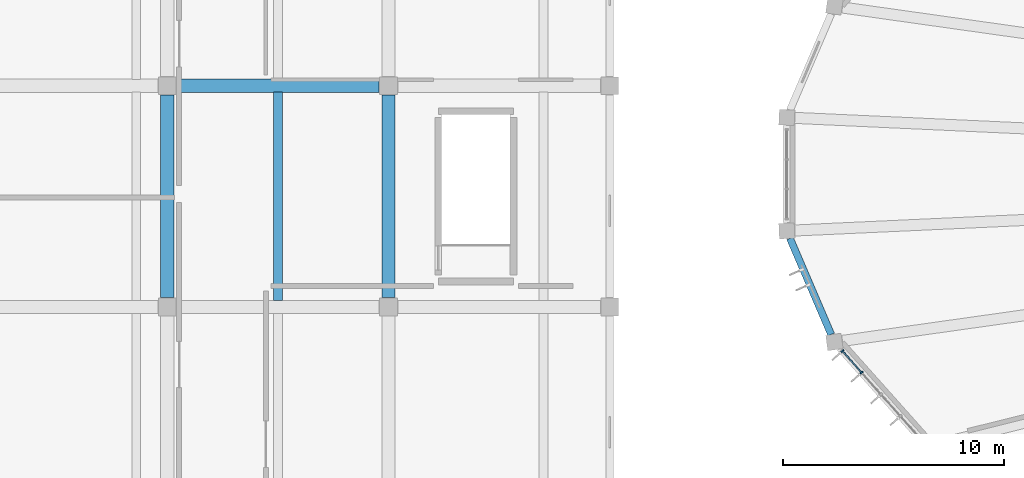
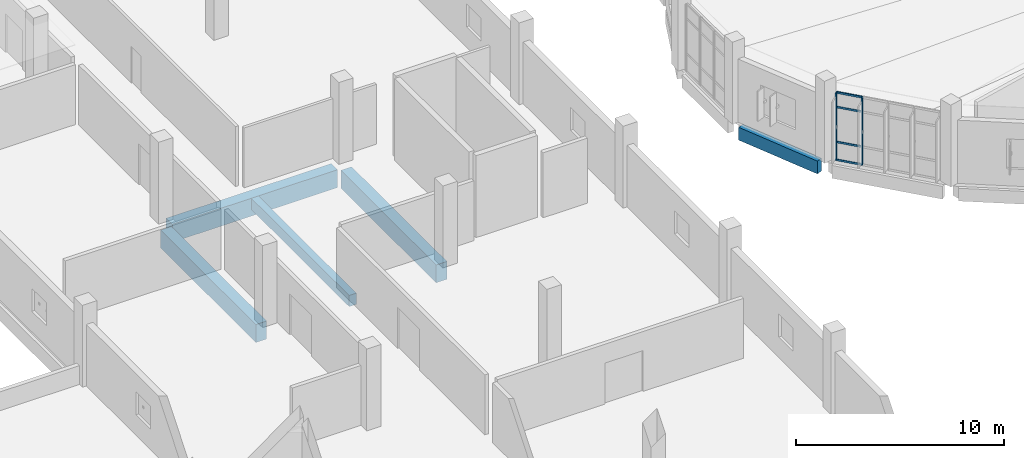
# One storey, part 23 of 179: 6 members, 5 beams, 1 element without a shape of its own.
"""IFC4 building model written with IfcOpenShell, lengths in metres."""

import ifcopenshell
import ifcopenshell.guid

model = None  # the IFC model being written
_history = None  # IfcOwnerHistory: only IFC2X3 demands one
_inside = {}  # id of a spatial element -> (the spatial element, [elements in it])
_under = {}  # id of a project, library or spatial element -> (it, [spatial elements below it])
_declared = {}  # id of a project -> (the project, [libraries it declares])
_typed = {}  # id of a type object -> (the type object, [elements of that type])
_made_of = {}  # id of a material, layer set ... -> (it, [elements and type objects made of it])


def new_model(schema):
    """Start an empty IFC model of exactly this schema.

    Asked for "IFC4X3", IfcOpenShell would pick the latest addendum, in which some entities
    have other attributes; the version numbers below select the first issue.
    IFC2X3 requires an IfcOwnerHistory on every rooted entity: one is made here for all.
    """
    global model, _history
    if schema == "IFC4X3":
        model = ifcopenshell.file(schema_version=(4, 3, 0, 0))
    else:
        model = ifcopenshell.file(schema=schema)
    _inside.clear()
    _under.clear()
    _declared.clear()
    _typed.clear()
    _made_of.clear()
    _history = None
    if model.schema == "IFC2X3":
        org = make("IfcOrganization", Name="unknown")
        user = make(
            "IfcPersonAndOrganization",
            ThePerson=make("IfcPerson", FamilyName="unknown"),
            TheOrganization=org,
        )
        app = make(
            "IfcApplication",
            ApplicationDeveloper=org,
            Version="unknown",
            ApplicationFullName="unknown",
            ApplicationIdentifier="unknown",
        )
        _history = make(
            "IfcOwnerHistory",
            OwningUser=user,
            OwningApplication=app,
            ChangeAction="ADDED",
            CreationDate=0,
        )
    return model


def make(cls, **values):
    """One entity of the class cls with the attributes given. An attribute that is None is left unset."""
    return model.create_entity(
        cls, **{name: value for name, value in values.items() if value is not None}
    )


def rooted(cls, **values):
    """An entity with a GlobalId (a new one), such as an element, a storey or a relation."""
    return make(cls, GlobalId=ifcopenshell.guid.new(), OwnerHistory=_history, **values)


def si_unit(unit_type, name, prefix=None):
    """IfcSIUnit, for example si_unit("LENGTHUNIT", "METRE", prefix="MILLI")."""
    return make("IfcSIUnit", UnitType=unit_type, Prefix=prefix, Name=name)


def assignment(units):
    """IfcUnitAssignment: the units of a project."""
    return None if units is None else make("IfcUnitAssignment", Units=units)


def point(xyz):
    """IfcCartesianPoint."""
    return None if xyz is None else make("IfcCartesianPoint", Coordinates=xyz)


def direction(xyz):
    """IfcDirection."""
    return None if xyz is None else make("IfcDirection", DirectionRatios=xyz)


def frame(location, z_axis=None, x_axis=None):
    """IfcAxis2Placement3D, a coordinate frame: its origin and axes. An axis left out is left unset."""
    return make(
        "IfcAxis2Placement3D",
        Location=point(location),
        Axis=direction(z_axis),
        RefDirection=direction(x_axis),
    )


def frame_2d(location, x_axis=None):
    """IfcAxis2Placement2D, a coordinate frame in the plane: its origin and x axis."""
    return make(
        "IfcAxis2Placement2D", Location=point(location), RefDirection=direction(x_axis)
    )


def origin():
    """The frame at (0, 0, 0) with its axes left unset."""
    return frame((0.0, 0.0, 0.0))


def origin_2d():
    """The frame at (0, 0) in the plane with its x axis left unset."""
    return frame_2d((0.0, 0.0))


def place(relative_to, where):
    """IfcLocalPlacement: puts the frame where relative to a parent placement (None: the world)."""
    return make(
        "IfcLocalPlacement", PlacementRelTo=relative_to, RelativePlacement=where
    )


def context(
    kind, dimensions, precision=None, world=None, true_north=None, identifier=None
):
    """IfcGeometricRepresentationContext, for example the 3D "Model" context."""
    return make(
        "IfcGeometricRepresentationContext",
        ContextIdentifier=identifier,
        ContextType=kind,
        CoordinateSpaceDimension=dimensions,
        Precision=precision,
        WorldCoordinateSystem=world,
        TrueNorth=true_north,
    )


def subcontext(parent, identifier, kind, view, scale=None):
    """IfcGeometricRepresentationSubContext, for example "Body" below "Model"."""
    return make(
        "IfcGeometricRepresentationSubContext",
        ContextIdentifier=identifier,
        ContextType=kind,
        ParentContext=parent,
        TargetScale=scale,
        TargetView=view,
    )


def project(units=None, contexts=None):
    """IfcProject with its units and contexts."""
    return rooted(
        "IfcProject",
        Name="project",
        RepresentationContexts=contexts,
        UnitsInContext=assignment(units),
    )


def spatial(cls, under=None, at=None, **own):
    """A site, building, storey or space (cls), placed at a placement, below another one or the project."""
    s = rooted(cls, ObjectPlacement=at, **own)
    if under is not None:
        _under.setdefault(under.id(), (under, []))[1].append(s)
    return s


def profile(cls, at=None, kind="AREA", **sizes):
    """A parametric profile (cls). Its sizes go by their IFC names, for example OverallWidth=200.0."""
    return make(cls, ProfileType=kind, Position=at, **sizes)


def rectangle(**sizes):
    """IfcRectangleProfileDef."""
    return profile("IfcRectangleProfileDef", **sizes)


def extrude(swept, where, along, depth):
    """IfcExtrudedAreaSolid: the profile swept, set in the frame where, extruded along a direction by depth."""
    return make(
        "IfcExtrudedAreaSolid",
        SweptArea=swept,
        Position=where,
        ExtrudedDirection=direction(along),
        Depth=depth,
    )


def shape(context_of_items, identifier, shape_type, items):
    """IfcShapeRepresentation: the items that make up one representation, for example the "Body"."""
    return make(
        "IfcShapeRepresentation",
        ContextOfItems=context_of_items,
        RepresentationIdentifier=identifier,
        RepresentationType=shape_type,
        Items=items,
    )


def material(Name=None, Category=None):
    """IfcMaterial."""
    return make("IfcMaterial", Name=Name, Category=Category)


def layer(
    of_material, thickness, ventilated=None, Name=None, Category=None, Priority=None
):
    """IfcMaterialLayer: one layer of a wall or slab, of a material (None: an air gap)."""
    return make(
        "IfcMaterialLayer",
        Material=of_material,
        LayerThickness=thickness,
        IsVentilated=ventilated,
        Name=Name,
        Category=Category,
        Priority=Priority,
    )


def layer_set(layers, Name=None):
    """IfcMaterialLayerSet."""
    return make("IfcMaterialLayerSet", MaterialLayers=layers, LayerSetName=Name)


def material_profile(
    of_material, cross_section, Name=None, Category=None, Priority=None
):
    """IfcMaterialProfile: a cross section and its material."""
    return make(
        "IfcMaterialProfile",
        Name=Name,
        Material=of_material,
        Profile=cross_section,
        Priority=Priority,
        Category=Category,
    )


def profile_set(profiles, Name=None, composite=None):
    """IfcMaterialProfileSet."""
    return make(
        "IfcMaterialProfileSet",
        Name=Name,
        MaterialProfiles=profiles,
        CompositeProfile=composite,
    )


def made_of(thing, what):
    """Note that an element or type object is made of a material, layer set ...; save() writes the relation."""
    if what is not None:
        _made_of.setdefault(what.id(), (what, []))[1].append(thing)
    return thing


def type_object(cls, material=None, **own):
    """A type object (cls), such as IfcWallType, which elements share."""
    return made_of(rooted(cls, **own), material)


def element(
    cls,
    number,
    at=None,
    inside=None,
    cuts=None,
    type_object=None,
    material=None,
    context=None,
    identifier="Body",
    shape_type=None,
    held_by="IfcProductDefinitionShape",
    body=None,
    shapes=None,
    **own,
):
    """One element of the class cls, such as IfcWall. Its Tag is "e" and its number.

    at: its placement. inside: the storey or other place that contains it. cuts: it is an
    opening in that element (IfcRelVoidsElement). A single representation is given by context,
    identifier, shape_type and body (its items); several are given by shapes. held_by: the class
    of the entity that holds the representations. save() writes the other relations.
    """
    e = rooted(cls, Tag="e%d" % number, ObjectPlacement=at, **own)
    if body is not None:
        shapes = [shape(context, identifier, shape_type, body)]
    if shapes is not None:
        e.Representation = make(held_by, Representations=shapes)
    if inside is not None:
        _inside.setdefault(inside.id(), (inside, []))[1].append(e)
    if cuts is not None:
        rooted(
            "IfcRelVoidsElement", RelatingBuildingElement=cuts, RelatedOpeningElement=e
        )
    if type_object is not None:
        _typed.setdefault(type_object.id(), (type_object, []))[1].append(e)
    return made_of(e, material)


def aggregate(whole, parts):
    """IfcRelAggregates: a whole, such as a stair, and the parts it consists of."""
    return rooted("IfcRelAggregates", RelatingObject=whole, RelatedObjects=parts)


def save(model, path):
    """Write the relations noted so far, then the file.

    IfcRelAggregates (storeys below a building ...), IfcRelContainedInSpatialStructure (elements
    in a storey), IfcRelDefinesByType, IfcRelAssociatesMaterial and IfcRelDeclares: one each for
    every whole, place, type object, material and project.
    """
    for whole, parts in _under.values():
        aggregate(whole, parts)
    for where, things in _inside.values():
        rooted(
            "IfcRelContainedInSpatialStructure",
            RelatedElements=things,
            RelatingStructure=where,
        )
    for kind, things in _typed.values():
        rooted("IfcRelDefinesByType", RelatedObjects=things, RelatingType=kind)
    for what, things in _made_of.values():
        rooted("IfcRelAssociatesMaterial", RelatedObjects=things, RelatingMaterial=what)
    for by, libraries in _declared.values():
        rooted("IfcRelDeclares", RelatingContext=by, RelatedDefinitions=libraries)
    model.write(path)


model = new_model("IFC4")

# Units and contexts
model_context = context("Model", 3, precision=1e-05, world=origin(), true_north=direction((0.0, 1.0)))
body_context = subcontext(model_context, "Body", "Model", "MODEL_VIEW")
ifc_project = project(units=[si_unit("LENGTHUNIT", "METRE"), si_unit("AREAUNIT", "SQUARE_METRE"), si_unit("VOLUMEUNIT", "CUBIC_METRE"), si_unit("PLANEANGLEUNIT", "RADIAN"), si_unit("MASSUNIT", "GRAM", prefix="KILO")], contexts=[model_context])

# Site, building, storey
site_placement = place(None, origin())
site = spatial("IfcSite", under=ifc_project, at=site_placement, CompositionType="ELEMENT")
building_placement = place(site_placement, origin())
building = spatial("IfcBuilding", under=site, at=building_placement, Name="Corvandel Quay Wholesale Market", CompositionType="ELEMENT")
storey_placement = place(building_placement, frame((0.0, 0.0, 6.0)))
storey = spatial("IfcBuildingStorey", under=building, at=storey_placement, Name="L01", CompositionType="ELEMENT", Elevation=6.0)

# Beams
ifc_material_1 = material(Name="Precast concrete C45/55", Category="concrete")
ifc_material_profile_1 = material_profile(ifc_material_1, rectangle(XDim=0.60009765625, YDim=1.050048828125, at=origin_2d()), Name="PC-GIR-600x1050")
ifc_profile_set_1 = profile_set([ifc_material_profile_1], Name="Precast concrete C45/55")
beam_type_1 = type_object("IfcBeamType", Name="Cold Store Primary Girder G01 600x1050", PredefinedType="USERDEFINED", material=ifc_profile_set_1)
for number, where, z_axis, x_axis, name in (
    (1, (30.419921875, 120.0, -0.885009765625), (1.0, 0.0, 0.0), (0.0, 1.0, 0.0), "Beam BM-1050"),
    (2, (30.0, 110.419921875, -0.885009765625), (0.0, 1.0, 0.0), (-1.0, 0.0, 0.0), "Beam BM-1081"),
    (3, (40.0, 110.419921875, -0.885009765625), (0.0, 1.0, 0.0), (-1.0, 0.0, 0.0), "Beam BM-1094"),
):
    element("IfcBeam", number, at=place(storey_placement, frame(where, z_axis=z_axis, x_axis=x_axis)), inside=storey, type_object=beam_type_1, Name=name, ObjectType="GIRDER", PredefinedType="USERDEFINED", context=body_context, shape_type="SweptSolid", body=[
        extrude(rectangle(XDim=0.60009765625, YDim=1.050048828125, at=origin_2d()), origin(), (0.0, 0.0, 1.0), 9.16015625),
    ])
ifc_material_profile_2 = material_profile(ifc_material_1, rectangle(XDim=0.39990234375, YDim=0.64990234375, at=origin_2d()), Name="PC-BM-400x650")
ifc_profile_set_2 = profile_set([ifc_material_profile_2], Name="Precast concrete C45/55")
beam_type_2 = type_object("IfcBeamType", Name="Cold Store Secondary Beam B01 400x650", PredefinedType="BEAM", material=ifc_profile_set_2)
beam_1_placement = place(storey_placement, frame((35.0, 110.2900390625, -0.68505859375), z_axis=(0.0, 1.0, 0.0), x_axis=(-1.0, 0.0, 0.0)))
element("IfcBeam", 4, at=beam_1_placement, inside=storey, type_object=beam_type_2, Name="Beam BM-1133", PredefinedType="BEAM", context=body_context, shape_type="SweptSolid", body=[
    extrude(rectangle(XDim=0.39990234375, YDim=0.64990234375, at=origin_2d()), origin(), (0.0, 0.0, 1.0), 9.419921875),
])

# Curtain wall, members
ifc_material_2 = material(Name="Bronze anodised aluminium and low-E insulated glazing", Category="aluminium")
ifc_layer = layer(ifc_material_2, 0.197998046875)
ifc_layer_set = layer_set([ifc_layer], Name="Bronze anodised aluminium and low-E insulated glazing")
curtain_wall_type = type_object("IfcCurtainWallType", Name="Stick Curtain Wall System CW24 H5160", PredefinedType="NOTDEFINED", material=ifc_layer_set)
curtain_wall_placement = place(storey_placement, origin())
curtain_wall = element("IfcCurtainWall", 5, at=curtain_wall_placement, inside=storey, type_object=curtain_wall_type, Name="Curtain Wall CW-0105", PredefinedType="NOTDEFINED")
ifc_material_3 = material(Name="Anodised aluminium 6063-T6", Category="aluminium")
ifc_material_profile_3 = material_profile(ifc_material_3, rectangle(XDim=0.06494140625, YDim=0.14990234375, at=origin_2d()), Name="ALU-MUL-65x150")
ifc_profile_set_3 = profile_set([ifc_material_profile_3], Name="Anodised aluminium 6063-T6")
member_type_1 = type_object("IfcMemberType", Name="Curtain Wall Mullion ML02 65x150", PredefinedType="MULLION", material=ifc_profile_set_3)
member_1_placement = place(storey_placement, frame((60.511474609375, 108.012939453125, 0.0), z_axis=(0.0, 0.0, 1.0), x_axis=(-0.665621202286, 0.746289766155, 0.0)))
member_1 = element("IfcMember", 6, at=member_1_placement, type_object=member_type_1, Name="Mullion CW-0105-M00", PredefinedType="MULLION", context=body_context, shape_type="SweptSolid", body=[
    extrude(rectangle(XDim=0.06494140625, YDim=0.14990234375, at=origin_2d()), origin(), (0.0, 0.0, 1.0), 3.949951171875),
])
member_2_placement = place(storey_placement, frame((61.386962890625, 107.031494140625, 0.0), z_axis=(0.0, 0.0, 1.0), x_axis=(-0.665621202286, 0.746289766155, 0.0)))
member_2 = element("IfcMember", 7, at=member_2_placement, type_object=member_type_1, Name="Mullion CW-0105-M01", PredefinedType="MULLION", context=body_context, shape_type="SweptSolid", body=[
    extrude(rectangle(XDim=0.06494140625, YDim=0.14990234375, at=origin_2d()), origin(), (0.0, 0.0, 1.0), 3.949951171875),
])
ifc_material_profile_4 = material_profile(ifc_material_3, rectangle(XDim=0.06005859375, YDim=0.110107421875, at=origin_2d()), Name="ALU-TRN-60x110")
ifc_profile_set_4 = profile_set([ifc_material_profile_4], Name="Anodised aluminium 6063-T6")
member_type_2 = type_object("IfcMemberType", Name="Curtain Wall Transom TR02 60x110", PredefinedType="USERDEFINED", material=ifc_profile_set_4)
member_3_placement = place(storey_placement, frame((60.532958984375, 107.98876953125, 0.0), z_axis=(0.665732423865, -0.746190551947, 0.0), x_axis=(0.746190551947, 0.665732423865, 0.0)))
member_3 = element("IfcMember", 8, at=member_3_placement, type_object=member_type_2, Name="Transom CW-0105-T00-0", ObjectType="TRANSOM", PredefinedType="USERDEFINED", context=body_context, shape_type="SweptSolid", body=[
    extrude(rectangle(XDim=0.06005859375, YDim=0.110107421875, at=origin_2d()), origin(), (0.0, 0.0, 1.0), 1.250244140625),
])
member_4_placement = place(storey_placement, frame((60.532958984375, 107.98876953125, 1.050048828125), z_axis=(0.665732423865, -0.746190551947, 0.0), x_axis=(0.746190551947, 0.665732423865, 0.0)))
member_4 = element("IfcMember", 9, at=member_4_placement, type_object=member_type_2, Name="Transom CW-0105-T00-1", ObjectType="TRANSOM", PredefinedType="USERDEFINED", context=body_context, shape_type="SweptSolid", body=[
    extrude(rectangle(XDim=0.06005859375, YDim=0.110107421875, at=origin_2d()), origin(), (0.0, 0.0, 1.0), 1.250244140625),
])
member_5_placement = place(storey_placement, frame((60.532958984375, 107.98876953125, 3.10009765625), z_axis=(0.665732423865, -0.746190551947, 0.0), x_axis=(0.746190551947, 0.665732423865, 0.0)))
member_5 = element("IfcMember", 10, at=member_5_placement, type_object=member_type_2, Name="Transom CW-0105-T00-2", ObjectType="TRANSOM", PredefinedType="USERDEFINED", context=body_context, shape_type="SweptSolid", body=[
    extrude(rectangle(XDim=0.06005859375, YDim=0.110107421875, at=origin_2d()), origin(), (0.0, 0.0, 1.0), 1.250244140625),
])
member_6_placement = place(storey_placement, frame((60.532958984375, 107.98876953125, 3.949951171875), z_axis=(0.665732423865, -0.746190551947, 0.0), x_axis=(0.746190551947, 0.665732423865, 0.0)))
member_6 = element("IfcMember", 11, at=member_6_placement, type_object=member_type_2, Name="Transom CW-0105-T00-3", ObjectType="TRANSOM", PredefinedType="USERDEFINED", context=body_context, shape_type="SweptSolid", body=[
    extrude(rectangle(XDim=0.06005859375, YDim=0.110107421875, at=origin_2d()), origin(), (0.0, 0.0, 1.0), 1.250244140625),
])
aggregate(curtain_wall, [member_1, member_2, member_3, member_4, member_5, member_6])

# Beam
ifc_material_profile_5 = material_profile(ifc_material_1, rectangle(XDim=0.320068359375, YDim=0.75, at=origin_2d()), Name="PC-SPN-320x750")
ifc_profile_set_5 = profile_set([ifc_material_profile_5], Name="Precast concrete C45/55")
beam_type_3 = type_object("IfcBeamType", Name="Pavilion Precast Spandrel SP02 320x750", PredefinedType="SPANDREL", material=ifc_profile_set_5)
beam_2_placement = place(storey_placement, frame((58.145751953125, 113.098876953125, -0.655029296875), z_axis=(0.393813273626, -0.919190462046, 0.0), x_axis=(0.919190462046, 0.393813273626, 0.0)))
element("IfcBeam", 12, at=beam_2_placement, inside=storey, type_object=beam_type_3, Name="Beam BM-0632", PredefinedType="SPANDREL", context=body_context, shape_type="SweptSolid", body=[
    extrude(rectangle(XDim=0.320068359375, YDim=0.75, at=origin_2d()), origin(), (0.0, 0.0, 1.0), 4.724609375),
])

save(model, "model.ifc")
